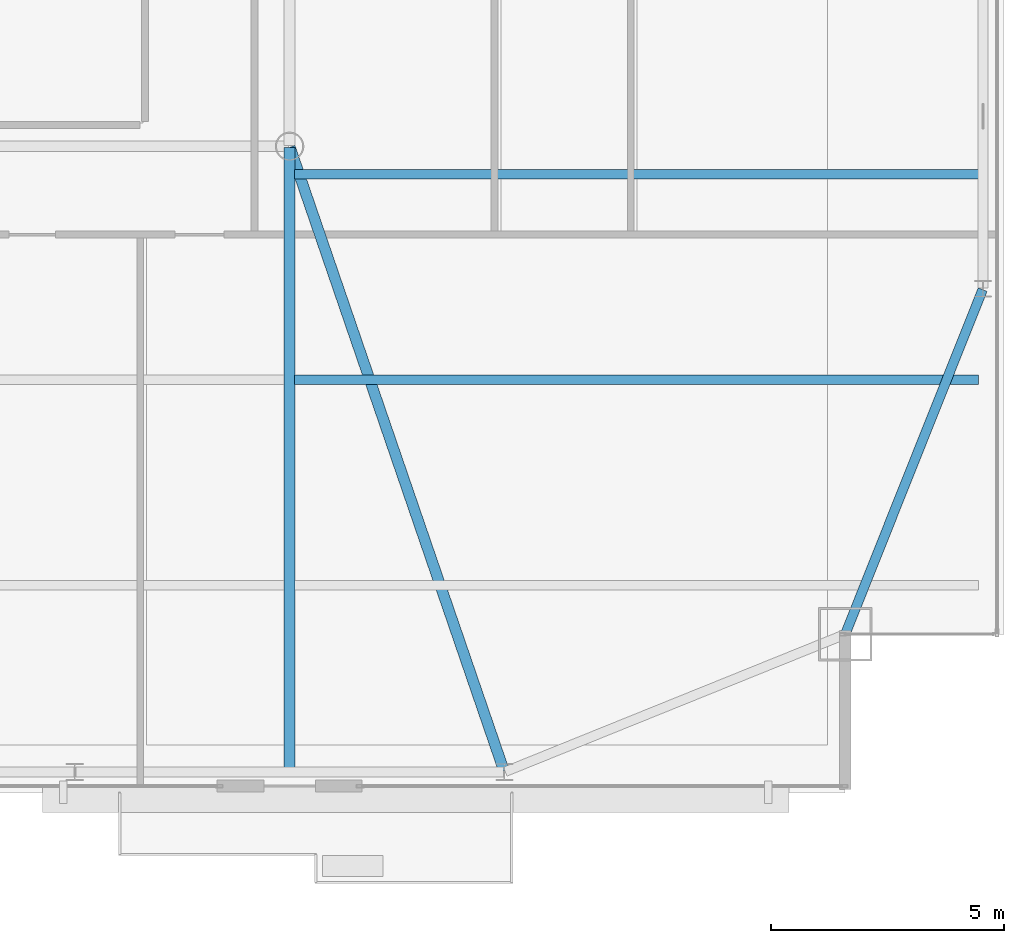
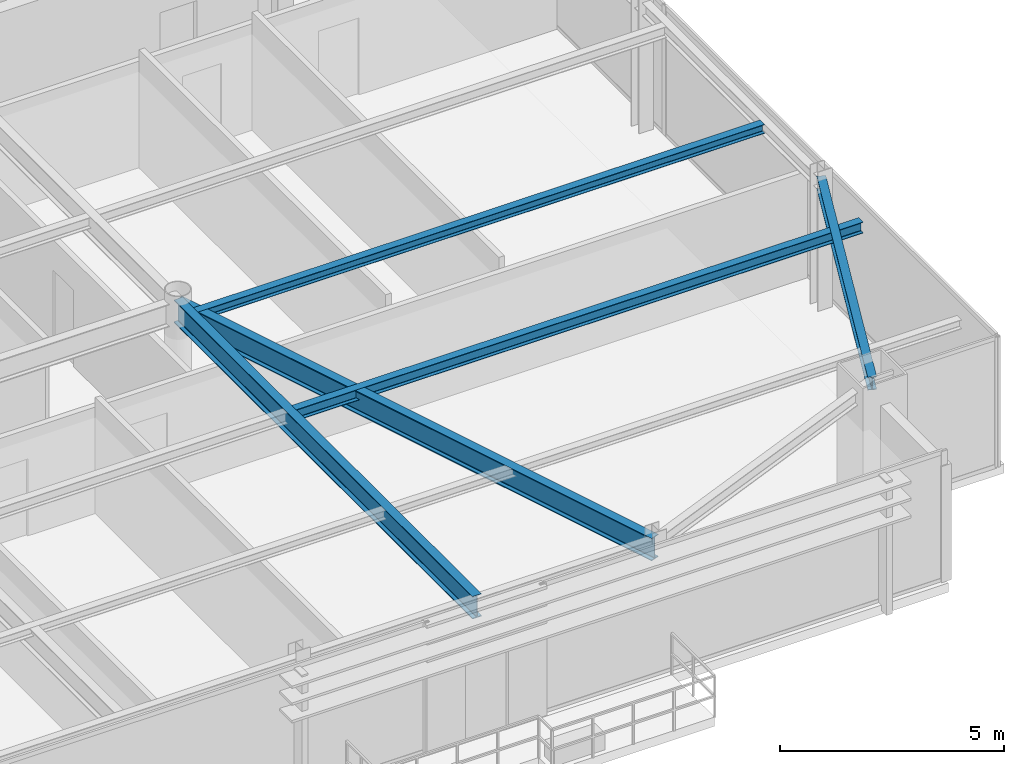
# One storey, part 16 of 30: 5 beams.
"""IFC4 building model written with IfcOpenShell, lengths in metres."""

from ifc_helpers import new_model, si_unit, direction, frame, origin, origin_2d, place, context, subcontext, project, spatial, i_section, extrude, source, transform, mapped, material, material_profile, profile_set, type_object, type_shapes, element, save


model = new_model("IFC4")

# Units and contexts
model_context = context("Model", 3, precision=1e-05, world=origin(), true_north=direction((0.0, 1.0)))
body_context = subcontext(model_context, "Body", "Model", "MODEL_VIEW")
ifc_project = project(units=[si_unit("LENGTHUNIT", "METRE"), si_unit("AREAUNIT", "SQUARE_METRE"), si_unit("VOLUMEUNIT", "CUBIC_METRE"), si_unit("PLANEANGLEUNIT", "RADIAN"), si_unit("MASSUNIT", "GRAM", prefix="KILO")], contexts=[model_context])

# Site, building, storey
site_placement = place(None, origin())
site = spatial("IfcSite", under=ifc_project, at=site_placement, CompositionType="ELEMENT")
building_placement = place(site_placement, origin())
building = spatial("IfcBuilding", under=site, at=building_placement, Name="Varnel Quay Broadcast Tower", CompositionType="ELEMENT")
storey_placement = place(building_placement, frame((0.0, 0.0, 247.0)))
storey = spatial("IfcBuildingStorey", under=building, at=storey_placement, Name="L61", CompositionType="ELEMENT", Elevation=247.0)

# Beams
ifc_material = material(Name="Structural Steel CSA G40.21 350W", Category="steel")
ifc_material_profile_1 = material_profile(ifc_material, i_section(OverallWidth=0.205078125, OverallDepth=0.35400390625, WebThickness=0.009521484375, FlangeThickness=0.016845703125, FilletRadius=0.012939453125, at=origin_2d()), Name="W360X79")
ifc_profile_set_1 = profile_set([ifc_material_profile_1], Name="Structural Steel CSA G40.21 350W")
beam_type_1 = type_object("IfcBeamType", Name="Beam_W360X79", PredefinedType="SPANDREL", material=ifc_profile_set_1)
shared_shape_1 = source(origin(), body_context, "Body", "SweptSolid", [
    extrude(i_section(OverallWidth=0.205078125, OverallDepth=0.35400390625, WebThickness=0.009521484375, FlangeThickness=0.016845703125, FilletRadius=0.012939453125, at=origin_2d()), origin(), (0.0, 0.0, 1.0), 7.92626953125),
])
type_shapes(beam_type_1, [shared_shape_1])
beam_1_placement = place(storey_placement, frame((55.107421875, 13.61865234375, 3.373046875), z_axis=(0.370296431883, 0.928913641053, 0.0), x_axis=(-0.928913641053, 0.370296431883, 0.0)))
element("IfcBeam", 1, at=beam_1_placement, inside=storey, type_object=beam_type_1, Name="L61 East Spandrel MC-SE-TC-E1", PredefinedType="SPANDREL", context=body_context, shape_type="MappedRepresentation", body=[
    mapped(shared_shape_1, transform((0.0, 0.0, 0.0), x_axis=(1.0, 0.0, 0.0), y_axis=(0.0, 1.0, 0.0), z_axis=(0.0, 0.0, 1.0), scale=1.0)),
])
ifc_material_profile_2 = material_profile(ifc_material, i_section(OverallWidth=0.22998046875, OverallDepth=0.616943359375, WebThickness=0.01318359375, FlangeThickness=0.022216796875, FilletRadius=0.01611328125, at=origin_2d()), Name="W610X140")
ifc_profile_set_2 = profile_set([ifc_material_profile_2], Name="Structural Steel CSA G40.21 350W")
beam_type_2 = type_object("IfcBeamType", Name="Girder_W610X140", PredefinedType="BEAM", material=ifc_profile_set_2)
shared_shape_2 = source(origin(), body_context, "Body", "SweptSolid", [
    extrude(i_section(OverallWidth=0.22998046875, OverallDepth=0.616943359375, WebThickness=0.01318359375, FlangeThickness=0.022216796875, FilletRadius=0.01611328125, at=origin_2d()), origin(), (0.0, 0.0, 1.0), 14.12744140625),
])
beam_2_placement = place(storey_placement, frame((47.79345703125, 10.6689453125, 3.241455078125), z_axis=(-0.324681288447, 0.945823482967, 0.0), x_axis=(-0.945823482967, -0.324681288447, 0.0)))
element("IfcBeam", 2, at=beam_2_placement, inside=storey, type_object=beam_type_2, Name="L61 Primary Girder TC-S4-IC-02", PredefinedType="BEAM", context=body_context, shape_type="MappedRepresentation", body=[
    mapped(shared_shape_2, transform((0.0, 0.0, 0.0), x_axis=(1.0, 0.0, 0.0), y_axis=(0.0, 1.0, 0.0), z_axis=(0.0, 0.0, 1.0), scale=1.0)),
])
shared_shape_3 = source(origin(), body_context, "Body", "SweptSolid", [
    extrude(i_section(OverallWidth=0.22998046875, OverallDepth=0.616943359375, WebThickness=0.01318359375, FlangeThickness=0.022216796875, FilletRadius=0.01611328125, at=origin_2d()), origin(), (0.0, 0.0, 1.0), 13.360107421875),
])
type_shapes(beam_type_2, [shared_shape_2, shared_shape_3])
beam_3_placement = place(storey_placement, frame((43.199951171875, 10.669921875, 3.241455078125), z_axis=(0.0, 1.0, 0.0), x_axis=(-1.0, 0.0, 0.0)))
element("IfcBeam", 3, at=beam_3_placement, inside=storey, type_object=beam_type_2, Name="L61 N-S Joist Header IC-02S", PredefinedType="BEAM", context=body_context, shape_type="MappedRepresentation", body=[
    mapped(shared_shape_3, transform((0.0, 0.0, 0.0), x_axis=(1.0, 0.0, 0.0), y_axis=(0.0, 1.0, 0.0), z_axis=(0.0, 0.0, 1.0), scale=1.0)),
])
ifc_material_profile_3 = material_profile(ifc_material, i_section(OverallWidth=0.201904296875, OverallDepth=0.2470703125, WebThickness=0.00732421875, FlangeThickness=0.010986328125, FilletRadius=0.010986328125, at=origin_2d()), Name="W250X49")
ifc_profile_set_3 = profile_set([ifc_material_profile_3], Name="Structural Steel CSA G40.21 350W")
beam_type_3 = type_object("IfcBeamType", Name="Beam_W250X49", PredefinedType="JOIST", material=ifc_profile_set_3)
shared_shape_4 = source(origin(), body_context, "Body", "SweptSolid", [
    extrude(i_section(OverallWidth=0.201904296875, OverallDepth=0.2470703125, WebThickness=0.00732421875, FlangeThickness=0.010986328125, FilletRadius=0.010986328125, at=origin_2d()), origin(), (0.0, 0.0, 1.0), 14.642333984375),
])
type_shapes(beam_type_3, [shared_shape_4])
beam_4_placement = place(storey_placement, frame((43.31005859375, 23.449951171875, 3.426513671875), z_axis=(1.0, 0.0, 0.0), x_axis=(0.0, 1.0, 0.0)))
element("IfcBeam", 4, at=beam_4_placement, inside=storey, type_object=beam_type_3, Name="L61 East Floor Joist 3", PredefinedType="JOIST", context=body_context, shape_type="MappedRepresentation", body=[
    mapped(shared_shape_4, transform((0.0, 0.0, 0.0), x_axis=(1.0, 0.0, 0.0), y_axis=(0.0, 1.0, 0.0), z_axis=(0.0, 0.0, 1.0), scale=1.0)),
])
ifc_material_profile_4 = material_profile(ifc_material, i_section(OverallWidth=0.202880859375, OverallDepth=0.302978515625, WebThickness=0.007568359375, FlangeThickness=0.01318359375, FilletRadius=0.011962890625, at=origin_2d()), Name="W310X60")
ifc_profile_set_4 = profile_set([ifc_material_profile_4], Name="Structural Steel CSA G40.21 350W")
beam_type_4 = type_object("IfcBeamType", Name="Beam_W310X60", PredefinedType="JOIST", material=ifc_profile_set_4)
shared_shape_5 = source(origin(), body_context, "Body", "SweptSolid", [
    extrude(i_section(OverallWidth=0.202880859375, OverallDepth=0.302978515625, WebThickness=0.007568359375, FlangeThickness=0.01318359375, FilletRadius=0.011962890625, at=origin_2d()), origin(), (0.0, 0.0, 1.0), 14.642333984375),
])
type_shapes(beam_type_4, [shared_shape_5])
beam_5_placement = place(storey_placement, frame((43.31005859375, 19.050048828125, 3.3984375), z_axis=(1.0, 0.0, 0.0), x_axis=(0.0, 1.0, 0.0)))
element("IfcBeam", 5, at=beam_5_placement, inside=storey, type_object=beam_type_4, Name="L61 East Floor Joist 2", PredefinedType="JOIST", context=body_context, shape_type="MappedRepresentation", body=[
    mapped(shared_shape_5, transform((0.0, 0.0, 0.0), x_axis=(1.0, 0.0, 0.0), y_axis=(0.0, 1.0, 0.0), z_axis=(0.0, 0.0, 1.0), scale=1.0)),
])

save(model, "model.ifc")
